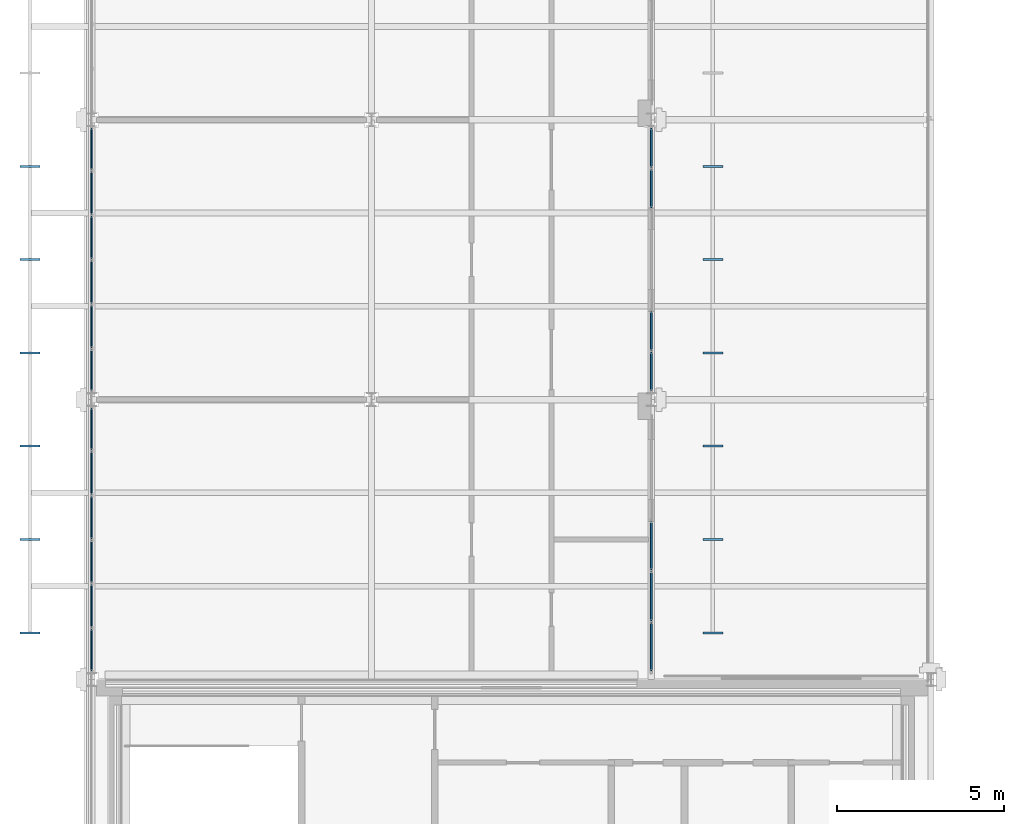
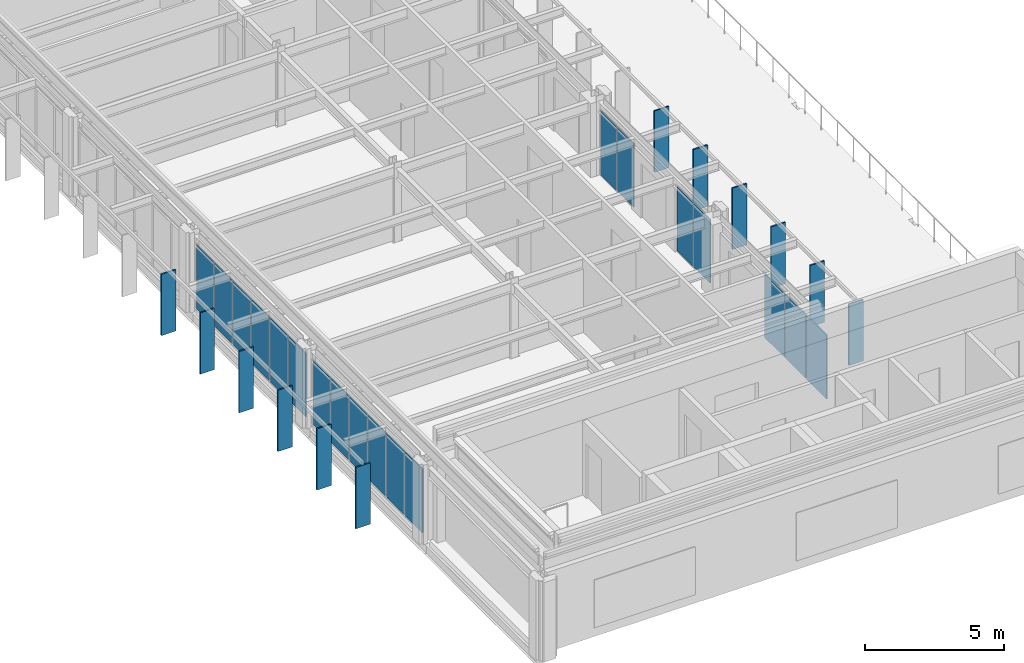
# One storey, part 24 of 31: 31 plates, 5 elements without a shape of their own.
"""IFC4 building model written with IfcOpenShell, lengths in metres."""

from ifc_helpers import new_model, si_unit, direction, frame, origin, origin_2d, place, context, subcontext, project, spatial, rectangle, extrude, material, layer, layer_set, material_profile, profile_set, type_object, element, aggregate, save


model = new_model("IFC4")

# Units and contexts
model_context = context("Model", 3, precision=1e-05, world=origin(), true_north=direction((0.0, 1.0)))
body_context = subcontext(model_context, "Body", "Model", "MODEL_VIEW")
ifc_project = project(units=[si_unit("LENGTHUNIT", "METRE"), si_unit("AREAUNIT", "SQUARE_METRE"), si_unit("VOLUMEUNIT", "CUBIC_METRE"), si_unit("PLANEANGLEUNIT", "RADIAN"), si_unit("MASSUNIT", "GRAM", prefix="KILO")], contexts=[model_context])

# Site, building, storey
site_placement = place(None, origin())
site = spatial("IfcSite", under=ifc_project, at=site_placement, CompositionType="ELEMENT")
building_placement = place(site_placement, origin())
building = spatial("IfcBuilding", under=site, at=building_placement, Name="Catenary Quay Ferry Terminal", CompositionType="ELEMENT")
storey_placement = place(building_placement, frame((0.0, 0.0, 20.60009765625)))
storey = spatial("IfcBuildingStorey", under=building, at=storey_placement, Name="L04", CompositionType="ELEMENT", Elevation=20.60009765625)

# Plates
ifc_material_1 = material(Name="Aluminium", Category="aluminium")
ifc_material_profile = material_profile(ifc_material_1, rectangle(XDim=0.06005859375, YDim=0.60009765625, at=origin_2d()), Name="BF1")
ifc_profile_set = profile_set([ifc_material_profile], Name="Aluminium")
plate_type_1 = type_object("IfcPlateType", Name="BF1", PredefinedType="USERDEFINED", material=ifc_profile_set)
for number, where, z_axis, x_axis, name in (
    (1, (23.35009765625, 169.39990234375, 0.2998046875), (0.0, 0.0, 1.0), (0.0, 1.0, 0.0), "Brise-soleil fin W2.1"),
    (2, (23.35009765625, 172.199951171875, 0.2998046875), (0.0, 0.0, 1.0), (0.0, 1.0, 0.0), "Brise-soleil fin W2.2"),
    (3, (23.35009765625, 175.0, 0.2998046875), (0.0, 0.0, 1.0), (0.0, 1.0, 0.0), "Brise-soleil fin W2.3"),
    (4, (23.35009765625, 177.800048828125, 0.2998046875), (0.0, 0.0, 1.0), (0.0, 1.0, 0.0), "Brise-soleil fin W3.1"),
    (5, (23.35009765625, 180.60009765625, 0.2998046875), (0.0, 0.0, 1.0), (0.0, 1.0, 0.0), "Brise-soleil fin W3.2"),
    (6, (23.35009765625, 183.39990234375, 0.2998046875), (0.0, 0.0, 1.0), (0.0, 1.0, 0.0), "Brise-soleil fin W3.3"),
    (7, (43.85009765625, 169.39990234375, 0.2998046875), (0.0, 0.0, 1.0), (0.0, 1.0, 0.0), "Brise-soleil fin E2.1"),
    (8, (43.85009765625, 172.199951171875, 0.2998046875), (0.0, 0.0, 1.0), (0.0, 1.0, 0.0), "Brise-soleil fin E2.2"),
    (9, (43.85009765625, 175.0, 0.2998046875), (0.0, 0.0, 1.0), (0.0, 1.0, 0.0), "Brise-soleil fin E2.3"),
    (10, (43.85009765625, 177.800048828125, 0.2998046875), (0.0, 0.0, 1.0), (0.0, 1.0, 0.0), "Brise-soleil fin E3.1"),
    (11, (43.85009765625, 180.60009765625, 0.2998046875), (0.0, 0.0, 1.0), (0.0, 1.0, 0.0), "Brise-soleil fin E3.2"),
    (12, (43.85009765625, 183.39990234375, 0.2998046875), (0.0, 0.0, 1.0), (0.0, 1.0, 0.0), "Brise-soleil fin E3.3"),
):
    element("IfcPlate", number, at=place(storey_placement, frame(where, z_axis=z_axis, x_axis=x_axis)), inside=storey, type_object=plate_type_1, Name=name, ObjectType="FIN", PredefinedType="USERDEFINED", context=body_context, shape_type="SweptSolid", body=[
        extrude(rectangle(XDim=0.06005859375, YDim=0.60009765625, at=origin_2d()), origin(), (0.0, 0.0, 1.0), 2.695068359375),
    ])

# Curtain wall, plates
ifc_material_2 = material(Name="Aluminium and glass", Category="aluminium")
curtain_wall_type = type_object("IfcCurtainWallType", Name="CWW5", PredefinedType="NOTDEFINED", material=ifc_material_2)
curtain_wall_1_placement = place(storey_placement, origin())
curtain_wall_1 = element("IfcCurtainWall", 13, at=curtain_wall_1_placement, inside=storey, type_object=curtain_wall_type, Name="Wing curtain wall CW154", PredefinedType="NOTDEFINED")
ifc_material_3 = material(Name="Glass", Category="glass")
ifc_layer = layer(ifc_material_3, 0.050048828125)
ifc_layer_set = layer_set([ifc_layer], Name="PN5")
plate_type_2 = type_object("IfcPlateType", Name="PN5", PredefinedType="CURTAIN_PANEL", material=ifc_layer_set)
plate_1_placement = place(storey_placement, frame((25.199951171875, 168.881591796875, 0.0498046875), z_axis=(0.0, 0.0, 1.0), x_axis=(0.0, 1.0, 0.0)))
plate_1 = element("IfcPlate", 14, at=plate_1_placement, type_object=plate_type_2, Name="CW154 panel 1.1", PredefinedType="CURTAIN_PANEL", context=body_context, shape_type="SweptSolid", body=[
    extrude(rectangle(XDim=1.243408203125, YDim=0.050048828125, at=origin_2d()), origin(), (0.0, 0.0, 1.0), 2.800048828125),
])
plate_2_placement = place(storey_placement, frame((25.199951171875, 170.199951171875, 0.0498046875), z_axis=(0.0, 0.0, 1.0), x_axis=(0.0, 1.0, 0.0)))
plate_2 = element("IfcPlate", 15, at=plate_2_placement, type_object=plate_type_2, Name="CW154 panel 2.1", PredefinedType="CURTAIN_PANEL", context=body_context, shape_type="SweptSolid", body=[
    extrude(rectangle(XDim=1.2734375, YDim=0.050048828125, at=origin_2d()), origin(), (0.0, 0.0, 1.0), 2.800048828125),
])
plate_3_placement = place(storey_placement, frame((25.199951171875, 171.533447265625, 0.0498046875), z_axis=(0.0, 0.0, 1.0), x_axis=(0.0, 1.0, 0.0)))
plate_3 = element("IfcPlate", 16, at=plate_3_placement, type_object=plate_type_2, Name="CW154 panel 3.1", PredefinedType="CURTAIN_PANEL", context=body_context, shape_type="SweptSolid", body=[
    extrude(rectangle(XDim=1.2734375, YDim=0.050048828125, at=origin_2d()), origin(), (0.0, 0.0, 1.0), 2.800048828125),
])
plate_4_placement = place(storey_placement, frame((25.199951171875, 172.86669921875, 0.0498046875), z_axis=(0.0, 0.0, 1.0), x_axis=(0.0, 1.0, 0.0)))
plate_4 = element("IfcPlate", 17, at=plate_4_placement, type_object=plate_type_2, Name="CW154 panel 4.1", PredefinedType="CURTAIN_PANEL", context=body_context, shape_type="SweptSolid", body=[
    extrude(rectangle(XDim=1.2734375, YDim=0.050048828125, at=origin_2d()), origin(), (0.0, 0.0, 1.0), 2.800048828125),
])
plate_5_placement = place(storey_placement, frame((25.199951171875, 174.199951171875, 0.0498046875), z_axis=(0.0, 0.0, 1.0), x_axis=(0.0, 1.0, 0.0)))
plate_5 = element("IfcPlate", 18, at=plate_5_placement, type_object=plate_type_2, Name="CW154 panel 5.1", PredefinedType="CURTAIN_PANEL", context=body_context, shape_type="SweptSolid", body=[
    extrude(rectangle(XDim=1.2734375, YDim=0.050048828125, at=origin_2d()), origin(), (0.0, 0.0, 1.0), 2.800048828125),
])
plate_6_placement = place(storey_placement, frame((25.199951171875, 175.518310546875, 0.0498046875), z_axis=(0.0, 0.0, 1.0), x_axis=(0.0, 1.0, 0.0)))
plate_6 = element("IfcPlate", 19, at=plate_6_placement, type_object=plate_type_2, Name="CW154 panel 6.1", PredefinedType="CURTAIN_PANEL", context=body_context, shape_type="SweptSolid", body=[
    extrude(rectangle(XDim=1.243408203125, YDim=0.050048828125, at=origin_2d()), origin(), (0.0, 0.0, 1.0), 2.800048828125),
])
aggregate(curtain_wall_1, [plate_1, plate_2, plate_3, plate_4, plate_5, plate_6])

curtain_wall_2_placement = place(storey_placement, origin())
curtain_wall_2 = element("IfcCurtainWall", 20, at=curtain_wall_2_placement, inside=storey, type_object=curtain_wall_type, Name="Wing curtain wall CW155", PredefinedType="NOTDEFINED")
plate_7_placement = place(storey_placement, frame((25.199951171875, 177.28173828125, 0.0498046875), z_axis=(0.0, 0.0, 1.0), x_axis=(0.0, 1.0, 0.0)))
plate_7 = element("IfcPlate", 21, at=plate_7_placement, type_object=plate_type_2, Name="CW155 panel 1.1", PredefinedType="CURTAIN_PANEL", context=body_context, shape_type="SweptSolid", body=[
    extrude(rectangle(XDim=1.243408203125, YDim=0.050048828125, at=origin_2d()), origin(), (0.0, 0.0, 1.0), 2.800048828125),
])
plate_8_placement = place(storey_placement, frame((25.199951171875, 178.60009765625, 0.0498046875), z_axis=(0.0, 0.0, 1.0), x_axis=(0.0, 1.0, 0.0)))
plate_8 = element("IfcPlate", 22, at=plate_8_placement, type_object=plate_type_2, Name="CW155 panel 2.1", PredefinedType="CURTAIN_PANEL", context=body_context, shape_type="SweptSolid", body=[
    extrude(rectangle(XDim=1.2734375, YDim=0.050048828125, at=origin_2d()), origin(), (0.0, 0.0, 1.0), 2.800048828125),
])
plate_9_placement = place(storey_placement, frame((25.199951171875, 179.933349609375, 0.0498046875), z_axis=(0.0, 0.0, 1.0), x_axis=(0.0, 1.0, 0.0)))
plate_9 = element("IfcPlate", 23, at=plate_9_placement, type_object=plate_type_2, Name="CW155 panel 3.1", PredefinedType="CURTAIN_PANEL", context=body_context, shape_type="SweptSolid", body=[
    extrude(rectangle(XDim=1.2734375, YDim=0.050048828125, at=origin_2d()), origin(), (0.0, 0.0, 1.0), 2.800048828125),
])
plate_10_placement = place(storey_placement, frame((25.199951171875, 181.2666015625, 0.0498046875), z_axis=(0.0, 0.0, 1.0), x_axis=(0.0, 1.0, 0.0)))
plate_10 = element("IfcPlate", 24, at=plate_10_placement, type_object=plate_type_2, Name="CW155 panel 4.1", PredefinedType="CURTAIN_PANEL", context=body_context, shape_type="SweptSolid", body=[
    extrude(rectangle(XDim=1.2734375, YDim=0.050048828125, at=origin_2d()), origin(), (0.0, 0.0, 1.0), 2.800048828125),
])
plate_11_placement = place(storey_placement, frame((25.199951171875, 182.60009765625, 0.0498046875), z_axis=(0.0, 0.0, 1.0), x_axis=(0.0, 1.0, 0.0)))
plate_11 = element("IfcPlate", 25, at=plate_11_placement, type_object=plate_type_2, Name="CW155 panel 5.1", PredefinedType="CURTAIN_PANEL", context=body_context, shape_type="SweptSolid", body=[
    extrude(rectangle(XDim=1.2734375, YDim=0.050048828125, at=origin_2d()), origin(), (0.0, 0.0, 1.0), 2.800048828125),
])
plate_12_placement = place(storey_placement, frame((25.199951171875, 183.918212890625, 0.0498046875), z_axis=(0.0, 0.0, 1.0), x_axis=(0.0, 1.0, 0.0)))
plate_12 = element("IfcPlate", 26, at=plate_12_placement, type_object=plate_type_2, Name="CW155 panel 6.1", PredefinedType="CURTAIN_PANEL", context=body_context, shape_type="SweptSolid", body=[
    extrude(rectangle(XDim=1.243408203125, YDim=0.050048828125, at=origin_2d()), origin(), (0.0, 0.0, 1.0), 2.800048828125),
])
aggregate(curtain_wall_2, [plate_7, plate_8, plate_9, plate_10, plate_11, plate_12])

curtain_wall_3_placement = place(storey_placement, origin())
curtain_wall_3 = element("IfcCurtainWall", 27, at=curtain_wall_3_placement, inside=storey, type_object=curtain_wall_type, Name="Wing curtain wall CW158", PredefinedType="NOTDEFINED")
plate_13_placement = place(storey_placement, frame((42.0, 168.981689453125, 0.0498046875), z_axis=(0.0, 0.0, 1.0), x_axis=(0.0, 1.0, 0.0)))
plate_13 = element("IfcPlate", 28, at=plate_13_placement, type_object=plate_type_2, Name="CW158 panel 1.1", PredefinedType="CURTAIN_PANEL", context=body_context, shape_type="SweptSolid", body=[
    extrude(rectangle(XDim=1.443359375, YDim=0.050048828125, at=origin_2d()), origin(), (0.0, 0.0, 1.0), 2.800048828125),
])
plate_14_placement = place(storey_placement, frame((42.0, 170.5, 0.0498046875), z_axis=(0.0, 0.0, 1.0), x_axis=(0.0, 1.0, 0.0)))
plate_14 = element("IfcPlate", 29, at=plate_14_placement, type_object=plate_type_2, Name="CW158 panel 2.1", PredefinedType="CURTAIN_PANEL", context=body_context, shape_type="SweptSolid", body=[
    extrude(rectangle(XDim=1.473388671875, YDim=0.050048828125, at=origin_2d()), origin(), (0.0, 0.0, 1.0), 2.800048828125),
])
plate_15_placement = place(storey_placement, frame((42.0, 172.018310546875, 0.0498046875), z_axis=(0.0, 0.0, 1.0), x_axis=(0.0, 1.0, 0.0)))
plate_15 = element("IfcPlate", 30, at=plate_15_placement, type_object=plate_type_2, Name="CW158 panel 3.1", PredefinedType="CURTAIN_PANEL", context=body_context, shape_type="SweptSolid", body=[
    extrude(rectangle(XDim=1.443359375, YDim=0.050048828125, at=origin_2d()), origin(), (0.0, 0.0, 1.0), 2.800048828125),
])
aggregate(curtain_wall_3, [plate_13, plate_14, plate_15])

curtain_wall_4_placement = place(storey_placement, origin())
curtain_wall_4 = element("IfcCurtainWall", 31, at=curtain_wall_4_placement, inside=storey, type_object=curtain_wall_type, Name="Wing curtain wall CW159", PredefinedType="NOTDEFINED")
plate_16_placement = place(storey_placement, frame((42.0, 177.239990234375, 0.0498046875), z_axis=(0.0, 0.0, 1.0), x_axis=(0.0, 1.0, 0.0)))
plate_16 = element("IfcPlate", 32, at=plate_16_placement, type_object=plate_type_2, Name="CW159 panel 1.1", PredefinedType="CURTAIN_PANEL", context=body_context, shape_type="SweptSolid", body=[
    extrude(rectangle(XDim=1.159912109375, YDim=0.050048828125, at=origin_2d()), origin(), (0.0, 0.0, 1.0), 2.800048828125),
])
plate_17_placement = place(storey_placement, frame((42.0, 178.4599609375, 0.0498046875), z_axis=(0.0, 0.0, 1.0), x_axis=(0.0, 1.0, 0.0)))
plate_17 = element("IfcPlate", 33, at=plate_17_placement, type_object=plate_type_2, Name="CW159 panel 2.1", PredefinedType="CURTAIN_PANEL", context=body_context, shape_type="SweptSolid", body=[
    extrude(rectangle(XDim=1.159912109375, YDim=0.050048828125, at=origin_2d()), origin(), (0.0, 0.0, 1.0), 2.800048828125),
])
aggregate(curtain_wall_4, [plate_16, plate_17])

curtain_wall_5_placement = place(storey_placement, origin())
curtain_wall_5 = element("IfcCurtainWall", 34, at=curtain_wall_5_placement, inside=storey, type_object=curtain_wall_type, Name="Wing curtain wall CW160", PredefinedType="NOTDEFINED")
plate_18_placement = place(storey_placement, frame((42.0, 182.739990234375, 0.0498046875), z_axis=(0.0, 0.0, 1.0), x_axis=(0.0, 1.0, 0.0)))
plate_18 = element("IfcPlate", 35, at=plate_18_placement, type_object=plate_type_2, Name="CW160 panel 1.1", PredefinedType="CURTAIN_PANEL", context=body_context, shape_type="SweptSolid", body=[
    extrude(rectangle(XDim=1.159912109375, YDim=0.050048828125, at=origin_2d()), origin(), (0.0, 0.0, 1.0), 2.800048828125),
])
plate_19_placement = place(storey_placement, frame((42.0, 183.9599609375, 0.0498046875), z_axis=(0.0, 0.0, 1.0), x_axis=(0.0, 1.0, 0.0)))
plate_19 = element("IfcPlate", 36, at=plate_19_placement, type_object=plate_type_2, Name="CW160 panel 2.1", PredefinedType="CURTAIN_PANEL", context=body_context, shape_type="SweptSolid", body=[
    extrude(rectangle(XDim=1.159912109375, YDim=0.050048828125, at=origin_2d()), origin(), (0.0, 0.0, 1.0), 2.800048828125),
])
aggregate(curtain_wall_5, [plate_18, plate_19])

save(model, "model.ifc")
